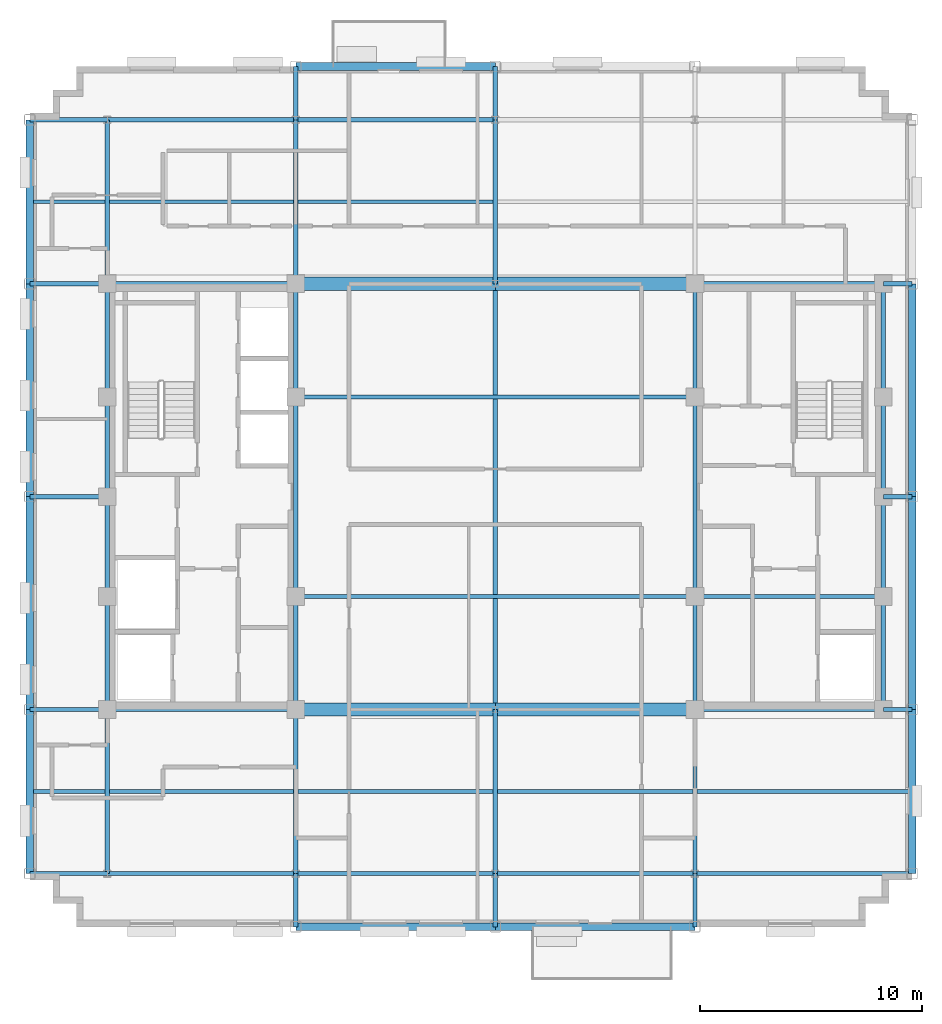
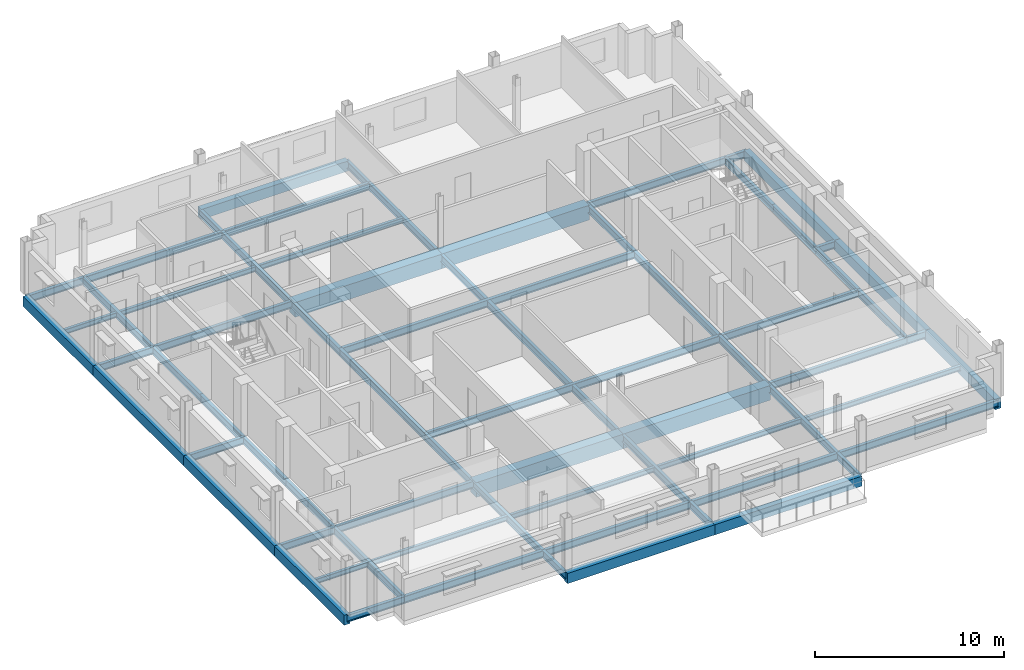
# One storey, part 4 of 13: 70 beams.
"""IFC4 building model written with IfcOpenShell, lengths in metres."""

from ifc_helpers import new_model, si_unit, direction, frame, origin, origin_2d, place, context, subcontext, project, spatial, rectangle, i_section, extrude, material, material_profile, profile_set, type_object, element, save


model = new_model("IFC4")

# Units and contexts
model_context = context("Model", 3, precision=1e-05, world=origin(), true_north=direction((0.0, 1.0)))
body_context = subcontext(model_context, "Body", "Model", "MODEL_VIEW")
ifc_project = project(units=[si_unit("LENGTHUNIT", "METRE"), si_unit("AREAUNIT", "SQUARE_METRE"), si_unit("VOLUMEUNIT", "CUBIC_METRE"), si_unit("PLANEANGLEUNIT", "RADIAN"), si_unit("MASSUNIT", "GRAM", prefix="KILO")], contexts=[model_context])

# Site, building, storey
site_placement = place(None, origin())
site = spatial("IfcSite", under=ifc_project, at=site_placement, CompositionType="ELEMENT")
building_placement = place(site_placement, origin())
building = spatial("IfcBuilding", under=site, at=building_placement, Name="Nuvemarco Arch Tower", CompositionType="ELEMENT")
storey_placement = place(building_placement, frame((0.0, 0.0, 261.60009765625)))
storey = spatial("IfcBuildingStorey", under=building, at=storey_placement, Name="L69", CompositionType="ELEMENT", Elevation=261.60009765625)

# Beams
ifc_material_1 = material(Name="Concrete C60/75", Category="concrete")
ifc_material_profile_1 = material_profile(ifc_material_1, rectangle(XDim=0.60009765625, YDim=0.949951171875, at=origin_2d()), Name="RC-BM-600x950")
ifc_profile_set_1 = profile_set([ifc_material_profile_1], Name="Concrete C60/75")
beam_type_1 = type_object("IfcBeamType", Name="BM-COUP-RC", PredefinedType="LINTEL", material=ifc_profile_set_1)
for number, where, z_axis, x_axis, name in (
    (1, (-9.0, -9.60009765625, -0.755126953125), (1.0, 0.0, 0.0), (0.0, 1.0, 0.0), "L69 structural beam BGEW_L69_0_-9.6_-9.0"),
    (2, (0.0, -9.60009765625, -0.755126953125), (1.0, 0.0, 0.0), (0.0, 1.0, 0.0), "L69 structural beam BGEW_L69_0_-9.6_+0.0"),
    (3, (-9.0, 9.60009765625, -0.755126953125), (1.0, 0.0, 0.0), (0.0, 1.0, 0.0), "L69 structural beam BGEW_L69_0_+9.6_-9.0"),
    (4, (0.0, 9.60009765625, -0.755126953125), (1.0, 0.0, 0.0), (0.0, 1.0, 0.0), "L69 structural beam BGEW_L69_0_+9.6_+0.0"),
):
    element("IfcBeam", number, at=place(storey_placement, frame(where, z_axis=z_axis, x_axis=x_axis)), inside=storey, type_object=beam_type_1, Name=name, PredefinedType="LINTEL", context=body_context, shape_type="SweptSolid", body=[
        extrude(rectangle(XDim=0.60009765625, YDim=0.949951171875, at=origin_2d()), origin(), (0.0, 0.0, 1.0), 9.0),
    ])
ifc_material_2 = material(Name="Steel S355", Category="steel")
ifc_material_profile_2 = material_profile(ifc_material_2, i_section(OverallWidth=0.19189453125, OverallDepth=0.462890625, WebThickness=0.010498046875, FlangeThickness=0.017578125, FilletRadius=0.014892578125, at=origin_2d()), Name="W460x89")
ifc_profile_set_2 = profile_set([ifc_material_profile_2], Name="Steel S355")
beam_type_2 = type_object("IfcBeamType", Name="BM-GIRD-460", PredefinedType="BEAM", material=ifc_profile_set_2)
beam_1_placement = place(storey_placement, frame((-17.5, -17.0, -0.51171875), z_axis=(0.0, 1.0, 0.0), x_axis=(-1.0, 0.0, 0.0)))
element("IfcBeam", 5, at=beam_1_placement, inside=storey, type_object=beam_type_2, Name="L69 structural beam BGNS_L69_0_-17.5_-17.0", PredefinedType="BEAM", context=body_context, shape_type="SweptSolid", body=[
    extrude(i_section(OverallWidth=0.19189453125, OverallDepth=0.462890625, WebThickness=0.010498046875, FlangeThickness=0.017578125, FilletRadius=0.014892578125, at=origin_2d()), origin(), (0.0, 0.0, 1.0), 7.39990234375),
])
beam_2_placement = place(storey_placement, frame((-17.5, -9.60009765625, -0.51171875), z_axis=(0.0, 1.0, 0.0), x_axis=(-1.0, 0.0, 0.0)))
element("IfcBeam", 6, at=beam_2_placement, inside=storey, type_object=beam_type_2, Name="L69 structural beam BGNS_L69_0_-17.5_-9.6", PredefinedType="BEAM", context=body_context, shape_type="SweptSolid", body=[
    extrude(i_section(OverallWidth=0.19189453125, OverallDepth=0.462890625, WebThickness=0.010498046875, FlangeThickness=0.017578125, FilletRadius=0.014892578125, at=origin_2d()), origin(), (0.0, 0.0, 1.0), 5.10009765625),
])
for number, where, z_axis, x_axis, name in (
    (7, (-17.5, -4.5, -0.51171875), (0.0, 1.0, 0.0), (-1.0, 0.0, 0.0), "L69 structural beam BGNS_L69_0_-17.5_-4.5"),
    (8, (-17.5, 0.0, -0.51171875), (0.0, 1.0, 0.0), (-1.0, 0.0, 0.0), "L69 structural beam BGNS_L69_0_-17.5_+0.0"),
):
    element("IfcBeam", number, at=place(storey_placement, frame(where, z_axis=z_axis, x_axis=x_axis)), inside=storey, type_object=beam_type_2, Name=name, PredefinedType="BEAM", context=body_context, shape_type="SweptSolid", body=[
        extrude(i_section(OverallWidth=0.19189453125, OverallDepth=0.462890625, WebThickness=0.010498046875, FlangeThickness=0.017578125, FilletRadius=0.014892578125, at=origin_2d()), origin(), (0.0, 0.0, 1.0), 4.5),
    ])
beam_3_placement = place(storey_placement, frame((-17.5, 4.5, -0.51171875), z_axis=(0.0, 1.0, 0.0), x_axis=(-1.0, 0.0, 0.0)))
element("IfcBeam", 9, at=beam_3_placement, inside=storey, type_object=beam_type_2, Name="L69 structural beam BGNS_L69_0_-17.5_+4.5", PredefinedType="BEAM", context=body_context, shape_type="SweptSolid", body=[
    extrude(i_section(OverallWidth=0.19189453125, OverallDepth=0.462890625, WebThickness=0.010498046875, FlangeThickness=0.017578125, FilletRadius=0.014892578125, at=origin_2d()), origin(), (0.0, 0.0, 1.0), 5.10009765625),
])
beam_4_placement = place(storey_placement, frame((-17.5, 9.60009765625, -0.51171875), z_axis=(0.0, 1.0, 0.0), x_axis=(-1.0, 0.0, 0.0)))
element("IfcBeam", 10, at=beam_4_placement, inside=storey, type_object=beam_type_2, Name="L69 structural beam BGNS_L69_0_-17.5_+9.6", PredefinedType="BEAM", context=body_context, shape_type="SweptSolid", body=[
    extrude(i_section(OverallWidth=0.19189453125, OverallDepth=0.462890625, WebThickness=0.010498046875, FlangeThickness=0.017578125, FilletRadius=0.014892578125, at=origin_2d()), origin(), (0.0, 0.0, 1.0), 7.39990234375),
])
beam_5_placement = place(storey_placement, frame((-9.0, -19.39990234375, -0.51171875), z_axis=(0.0, 1.0, 0.0), x_axis=(-1.0, 0.0, 0.0)))
element("IfcBeam", 11, at=beam_5_placement, inside=storey, type_object=beam_type_2, Name="L69 structural beam BGNS_L69_0_-9.0_-19.4", PredefinedType="BEAM", context=body_context, shape_type="SweptSolid", body=[
    extrude(i_section(OverallWidth=0.19189453125, OverallDepth=0.462890625, WebThickness=0.010498046875, FlangeThickness=0.017578125, FilletRadius=0.014892578125, at=origin_2d()), origin(), (0.0, 0.0, 1.0), 2.39990234375),
])
beam_6_placement = place(storey_placement, frame((-9.0, -17.0, -0.51171875), z_axis=(0.0, 1.0, 0.0), x_axis=(-1.0, 0.0, 0.0)))
element("IfcBeam", 12, at=beam_6_placement, inside=storey, type_object=beam_type_2, Name="L69 structural beam BGNS_L69_0_-9.0_-17.0", PredefinedType="BEAM", context=body_context, shape_type="SweptSolid", body=[
    extrude(i_section(OverallWidth=0.19189453125, OverallDepth=0.462890625, WebThickness=0.010498046875, FlangeThickness=0.017578125, FilletRadius=0.014892578125, at=origin_2d()), origin(), (0.0, 0.0, 1.0), 7.39990234375),
])
beam_7_placement = place(storey_placement, frame((-9.0, -9.60009765625, -0.51171875), z_axis=(0.0, 1.0, 0.0), x_axis=(-1.0, 0.0, 0.0)))
element("IfcBeam", 13, at=beam_7_placement, inside=storey, type_object=beam_type_2, Name="L69 structural beam BGNS_L69_0_-9.0_-9.6", PredefinedType="BEAM", context=body_context, shape_type="SweptSolid", body=[
    extrude(i_section(OverallWidth=0.19189453125, OverallDepth=0.462890625, WebThickness=0.010498046875, FlangeThickness=0.017578125, FilletRadius=0.014892578125, at=origin_2d()), origin(), (0.0, 0.0, 1.0), 5.10009765625),
])
beam_8_placement = place(storey_placement, frame((-9.0, -4.5, -0.51171875), z_axis=(0.0, 1.0, 0.0), x_axis=(-1.0, 0.0, 0.0)))
element("IfcBeam", 14, at=beam_8_placement, inside=storey, type_object=beam_type_2, Name="L69 structural beam BGNS_L69_0_-9.0_-4.5", PredefinedType="BEAM", context=body_context, shape_type="SweptSolid", body=[
    extrude(i_section(OverallWidth=0.19189453125, OverallDepth=0.462890625, WebThickness=0.010498046875, FlangeThickness=0.017578125, FilletRadius=0.014892578125, at=origin_2d()), origin(), (0.0, 0.0, 1.0), 9.0),
])
beam_9_placement = place(storey_placement, frame((-9.0, 4.5, -0.51171875), z_axis=(0.0, 1.0, 0.0), x_axis=(-1.0, 0.0, 0.0)))
element("IfcBeam", 15, at=beam_9_placement, inside=storey, type_object=beam_type_2, Name="L69 structural beam BGNS_L69_0_-9.0_+4.5", PredefinedType="BEAM", context=body_context, shape_type="SweptSolid", body=[
    extrude(i_section(OverallWidth=0.19189453125, OverallDepth=0.462890625, WebThickness=0.010498046875, FlangeThickness=0.017578125, FilletRadius=0.014892578125, at=origin_2d()), origin(), (0.0, 0.0, 1.0), 5.10009765625),
])
beam_10_placement = place(storey_placement, frame((-9.0, 9.60009765625, -0.51171875), z_axis=(0.0, 1.0, 0.0), x_axis=(-1.0, 0.0, 0.0)))
element("IfcBeam", 16, at=beam_10_placement, inside=storey, type_object=beam_type_2, Name="L69 structural beam BGNS_L69_0_-9.0_+9.6", PredefinedType="BEAM", context=body_context, shape_type="SweptSolid", body=[
    extrude(i_section(OverallWidth=0.19189453125, OverallDepth=0.462890625, WebThickness=0.010498046875, FlangeThickness=0.017578125, FilletRadius=0.014892578125, at=origin_2d()), origin(), (0.0, 0.0, 1.0), 7.39990234375),
])
for number, where, z_axis, x_axis, name in (
    (17, (-9.0, 17.0, -0.51171875), (0.0, 1.0, 0.0), (-1.0, 0.0, 0.0), "L69 structural beam BGNS_L69_0_-9.0_+17.0"),
    (18, (0.0, -19.39990234375, -0.51171875), (0.0, 1.0, 0.0), (-1.0, 0.0, 0.0), "L69 structural beam BGNS_L69_0_+0.0_-19.4"),
):
    element("IfcBeam", number, at=place(storey_placement, frame(where, z_axis=z_axis, x_axis=x_axis)), inside=storey, type_object=beam_type_2, Name=name, PredefinedType="BEAM", context=body_context, shape_type="SweptSolid", body=[
        extrude(i_section(OverallWidth=0.19189453125, OverallDepth=0.462890625, WebThickness=0.010498046875, FlangeThickness=0.017578125, FilletRadius=0.014892578125, at=origin_2d()), origin(), (0.0, 0.0, 1.0), 2.39990234375),
    ])
beam_11_placement = place(storey_placement, frame((0.0, -17.0, -0.51171875), z_axis=(0.0, 1.0, 0.0), x_axis=(-1.0, 0.0, 0.0)))
element("IfcBeam", 19, at=beam_11_placement, inside=storey, type_object=beam_type_2, Name="L69 structural beam BGNS_L69_0_+0.0_-17.0", PredefinedType="BEAM", context=body_context, shape_type="SweptSolid", body=[
    extrude(i_section(OverallWidth=0.19189453125, OverallDepth=0.462890625, WebThickness=0.010498046875, FlangeThickness=0.017578125, FilletRadius=0.014892578125, at=origin_2d()), origin(), (0.0, 0.0, 1.0), 7.39990234375),
])
beam_12_placement = place(storey_placement, frame((0.0, -9.60009765625, -0.51171875), z_axis=(0.0, 1.0, 0.0), x_axis=(-1.0, 0.0, 0.0)))
element("IfcBeam", 20, at=beam_12_placement, inside=storey, type_object=beam_type_2, Name="L69 structural beam BGNS_L69_0_+0.0_-9.6", PredefinedType="BEAM", context=body_context, shape_type="SweptSolid", body=[
    extrude(i_section(OverallWidth=0.19189453125, OverallDepth=0.462890625, WebThickness=0.010498046875, FlangeThickness=0.017578125, FilletRadius=0.014892578125, at=origin_2d()), origin(), (0.0, 0.0, 1.0), 19.2001953125),
])
beam_13_placement = place(storey_placement, frame((0.0, 9.60009765625, -0.51171875), z_axis=(0.0, 1.0, 0.0), x_axis=(-1.0, 0.0, 0.0)))
element("IfcBeam", 21, at=beam_13_placement, inside=storey, type_object=beam_type_2, Name="L69 structural beam BGNS_L69_0_+0.0_+9.6", PredefinedType="BEAM", context=body_context, shape_type="SweptSolid", body=[
    extrude(i_section(OverallWidth=0.19189453125, OverallDepth=0.462890625, WebThickness=0.010498046875, FlangeThickness=0.017578125, FilletRadius=0.014892578125, at=origin_2d()), origin(), (0.0, 0.0, 1.0), 7.39990234375),
])
for number, where, z_axis, x_axis, name in (
    (22, (0.0, 17.0, -0.51171875), (0.0, 1.0, 0.0), (-1.0, 0.0, 0.0), "L69 structural beam BGNS_L69_0_+0.0_+17.0"),
    (23, (9.0, -19.39990234375, -0.51171875), (0.0, 1.0, 0.0), (-1.0, 0.0, 0.0), "L69 structural beam BGNS_L69_0_+9.0_-19.4"),
):
    element("IfcBeam", number, at=place(storey_placement, frame(where, z_axis=z_axis, x_axis=x_axis)), inside=storey, type_object=beam_type_2, Name=name, PredefinedType="BEAM", context=body_context, shape_type="SweptSolid", body=[
        extrude(i_section(OverallWidth=0.19189453125, OverallDepth=0.462890625, WebThickness=0.010498046875, FlangeThickness=0.017578125, FilletRadius=0.014892578125, at=origin_2d()), origin(), (0.0, 0.0, 1.0), 2.39990234375),
    ])
beam_14_placement = place(storey_placement, frame((9.0, -17.0, -0.51171875), z_axis=(0.0, 1.0, 0.0), x_axis=(-1.0, 0.0, 0.0)))
element("IfcBeam", 24, at=beam_14_placement, inside=storey, type_object=beam_type_2, Name="L69 structural beam BGNS_L69_0_+9.0_-17.0", PredefinedType="BEAM", context=body_context, shape_type="SweptSolid", body=[
    extrude(i_section(OverallWidth=0.19189453125, OverallDepth=0.462890625, WebThickness=0.010498046875, FlangeThickness=0.017578125, FilletRadius=0.014892578125, at=origin_2d()), origin(), (0.0, 0.0, 1.0), 7.39990234375),
])
beam_15_placement = place(storey_placement, frame((9.0, -9.60009765625, -0.51171875), z_axis=(0.0, 1.0, 0.0), x_axis=(-1.0, 0.0, 0.0)))
element("IfcBeam", 25, at=beam_15_placement, inside=storey, type_object=beam_type_2, Name="L69 structural beam BGNS_L69_0_+9.0_-9.6", PredefinedType="BEAM", context=body_context, shape_type="SweptSolid", body=[
    extrude(i_section(OverallWidth=0.19189453125, OverallDepth=0.462890625, WebThickness=0.010498046875, FlangeThickness=0.017578125, FilletRadius=0.014892578125, at=origin_2d()), origin(), (0.0, 0.0, 1.0), 5.10009765625),
])
beam_16_placement = place(storey_placement, frame((9.0, -4.5, -0.51171875), z_axis=(0.0, 1.0, 0.0), x_axis=(-1.0, 0.0, 0.0)))
element("IfcBeam", 26, at=beam_16_placement, inside=storey, type_object=beam_type_2, Name="L69 structural beam BGNS_L69_0_+9.0_-4.5", PredefinedType="BEAM", context=body_context, shape_type="SweptSolid", body=[
    extrude(i_section(OverallWidth=0.19189453125, OverallDepth=0.462890625, WebThickness=0.010498046875, FlangeThickness=0.017578125, FilletRadius=0.014892578125, at=origin_2d()), origin(), (0.0, 0.0, 1.0), 9.0),
])
for number, where, z_axis, x_axis, name in (
    (27, (9.0, 4.5, -0.51171875), (0.0, 1.0, 0.0), (-1.0, 0.0, 0.0), "L69 structural beam BGNS_L69_0_+9.0_+4.5"),
    (28, (17.5, -9.60009765625, -0.51171875), (0.0, 1.0, 0.0), (-1.0, 0.0, 0.0), "L69 structural beam BGNS_L69_0_+17.5_-9.6"),
):
    element("IfcBeam", number, at=place(storey_placement, frame(where, z_axis=z_axis, x_axis=x_axis)), inside=storey, type_object=beam_type_2, Name=name, PredefinedType="BEAM", context=body_context, shape_type="SweptSolid", body=[
        extrude(i_section(OverallWidth=0.19189453125, OverallDepth=0.462890625, WebThickness=0.010498046875, FlangeThickness=0.017578125, FilletRadius=0.014892578125, at=origin_2d()), origin(), (0.0, 0.0, 1.0), 5.10009765625),
    ])
for number, where, z_axis, x_axis, name in (
    (29, (17.5, -4.5, -0.51171875), (0.0, 1.0, 0.0), (-1.0, 0.0, 0.0), "L69 structural beam BGNS_L69_0_+17.5_-4.5"),
    (30, (17.5, 0.0, -0.51171875), (0.0, 1.0, 0.0), (-1.0, 0.0, 0.0), "L69 structural beam BGNS_L69_0_+17.5_+0.0"),
):
    element("IfcBeam", number, at=place(storey_placement, frame(where, z_axis=z_axis, x_axis=x_axis)), inside=storey, type_object=beam_type_2, Name=name, PredefinedType="BEAM", context=body_context, shape_type="SweptSolid", body=[
        extrude(i_section(OverallWidth=0.19189453125, OverallDepth=0.462890625, WebThickness=0.010498046875, FlangeThickness=0.017578125, FilletRadius=0.014892578125, at=origin_2d()), origin(), (0.0, 0.0, 1.0), 4.5),
    ])
beam_17_placement = place(storey_placement, frame((17.5, 4.5, -0.51171875), z_axis=(0.0, 1.0, 0.0), x_axis=(-1.0, 0.0, 0.0)))
element("IfcBeam", 31, at=beam_17_placement, inside=storey, type_object=beam_type_2, Name="L69 structural beam BGNS_L69_0_+17.5_+4.5", PredefinedType="BEAM", context=body_context, shape_type="SweptSolid", body=[
    extrude(i_section(OverallWidth=0.19189453125, OverallDepth=0.462890625, WebThickness=0.010498046875, FlangeThickness=0.017578125, FilletRadius=0.014892578125, at=origin_2d()), origin(), (0.0, 0.0, 1.0), 5.10009765625),
])
beam_18_placement = place(storey_placement, frame((-21.0, -17.0, -0.51171875), z_axis=(1.0, 0.0, 0.0), x_axis=(0.0, 1.0, 0.0)))
element("IfcBeam", 32, at=beam_18_placement, inside=storey, type_object=beam_type_2, Name="L69 structural beam BGEW_L69_0_-17.0_-21.0", PredefinedType="BEAM", context=body_context, shape_type="SweptSolid", body=[
    extrude(i_section(OverallWidth=0.19189453125, OverallDepth=0.462890625, WebThickness=0.010498046875, FlangeThickness=0.017578125, FilletRadius=0.014892578125, at=origin_2d()), origin(), (0.0, 0.0, 1.0), 3.5),
])
beam_19_placement = place(storey_placement, frame((-17.5, -17.0, -0.51171875), z_axis=(1.0, 0.0, 0.0), x_axis=(0.0, 1.0, 0.0)))
element("IfcBeam", 33, at=beam_19_placement, inside=storey, type_object=beam_type_2, Name="L69 structural beam BGEW_L69_0_-17.0_-17.5", PredefinedType="BEAM", context=body_context, shape_type="SweptSolid", body=[
    extrude(i_section(OverallWidth=0.19189453125, OverallDepth=0.462890625, WebThickness=0.010498046875, FlangeThickness=0.017578125, FilletRadius=0.014892578125, at=origin_2d()), origin(), (0.0, 0.0, 1.0), 8.5),
])
for number, where, z_axis, x_axis, name in (
    (34, (-9.0, -17.0, -0.51171875), (1.0, 0.0, 0.0), (0.0, 1.0, 0.0), "L69 structural beam BGEW_L69_0_-17.0_-9.0"),
    (35, (0.0, -17.0, -0.51171875), (1.0, 0.0, 0.0), (0.0, 1.0, 0.0), "L69 structural beam BGEW_L69_0_-17.0_+0.0"),
):
    element("IfcBeam", number, at=place(storey_placement, frame(where, z_axis=z_axis, x_axis=x_axis)), inside=storey, type_object=beam_type_2, Name=name, PredefinedType="BEAM", context=body_context, shape_type="SweptSolid", body=[
        extrude(i_section(OverallWidth=0.19189453125, OverallDepth=0.462890625, WebThickness=0.010498046875, FlangeThickness=0.017578125, FilletRadius=0.014892578125, at=origin_2d()), origin(), (0.0, 0.0, 1.0), 9.0),
    ])
beam_20_placement = place(storey_placement, frame((9.0, -17.0, -0.51171875), z_axis=(1.0, 0.0, 0.0), x_axis=(0.0, 1.0, 0.0)))
element("IfcBeam", 36, at=beam_20_placement, inside=storey, type_object=beam_type_2, Name="L69 structural beam BGEW_L69_0_-17.0_+9.0", PredefinedType="BEAM", context=body_context, shape_type="SweptSolid", body=[
    extrude(i_section(OverallWidth=0.19189453125, OverallDepth=0.462890625, WebThickness=0.010498046875, FlangeThickness=0.017578125, FilletRadius=0.014892578125, at=origin_2d()), origin(), (0.0, 0.0, 1.0), 9.800048828125),
])
beam_21_placement = place(storey_placement, frame((-21.0, -9.60009765625, -0.51171875), z_axis=(1.0, 0.0, 0.0), x_axis=(0.0, 1.0, 0.0)))
element("IfcBeam", 37, at=beam_21_placement, inside=storey, type_object=beam_type_2, Name="L69 structural beam BGEW_L69_0_-9.6_-21.0", PredefinedType="BEAM", context=body_context, shape_type="SweptSolid", body=[
    extrude(i_section(OverallWidth=0.19189453125, OverallDepth=0.462890625, WebThickness=0.010498046875, FlangeThickness=0.017578125, FilletRadius=0.014892578125, at=origin_2d()), origin(), (0.0, 0.0, 1.0), 3.5),
])
for number, where, z_axis, x_axis, name in (
    (38, (-17.5, -9.60009765625, -0.51171875), (1.0, 0.0, 0.0), (0.0, 1.0, 0.0), "L69 structural beam BGEW_L69_0_-9.6_-17.5"),
    (39, (9.0, -9.60009765625, -0.51171875), (1.0, 0.0, 0.0), (0.0, 1.0, 0.0), "L69 structural beam BGEW_L69_0_-9.6_+9.0"),
):
    element("IfcBeam", number, at=place(storey_placement, frame(where, z_axis=z_axis, x_axis=x_axis)), inside=storey, type_object=beam_type_2, Name=name, PredefinedType="BEAM", context=body_context, shape_type="SweptSolid", body=[
        extrude(i_section(OverallWidth=0.19189453125, OverallDepth=0.462890625, WebThickness=0.010498046875, FlangeThickness=0.017578125, FilletRadius=0.014892578125, at=origin_2d()), origin(), (0.0, 0.0, 1.0), 8.5),
    ])
beam_22_placement = place(storey_placement, frame((17.5, -9.60009765625, -0.51171875), z_axis=(1.0, 0.0, 0.0), x_axis=(0.0, 1.0, 0.0)))
element("IfcBeam", 40, at=beam_22_placement, inside=storey, type_object=beam_type_2, Name="L69 structural beam BGEW_L69_0_-9.6_+17.5", PredefinedType="BEAM", context=body_context, shape_type="SweptSolid", body=[
    extrude(i_section(OverallWidth=0.19189453125, OverallDepth=0.462890625, WebThickness=0.010498046875, FlangeThickness=0.017578125, FilletRadius=0.014892578125, at=origin_2d()), origin(), (0.0, 0.0, 1.0), 1.300048828125),
])
beam_23_placement = place(storey_placement, frame((-9.0, -4.5, -0.51171875), z_axis=(1.0, 0.0, 0.0), x_axis=(0.0, 1.0, 0.0)))
element("IfcBeam", 41, at=beam_23_placement, inside=storey, type_object=beam_type_2, Name="L69 structural beam BGEW_L69_0_-4.5_-9.0", PredefinedType="BEAM", context=body_context, shape_type="SweptSolid", body=[
    extrude(i_section(OverallWidth=0.19189453125, OverallDepth=0.462890625, WebThickness=0.010498046875, FlangeThickness=0.017578125, FilletRadius=0.014892578125, at=origin_2d()), origin(), (0.0, 0.0, 1.0), 18.0),
])
beam_24_placement = place(storey_placement, frame((9.0, -4.5, -0.51171875), z_axis=(1.0, 0.0, 0.0), x_axis=(0.0, 1.0, 0.0)))
element("IfcBeam", 42, at=beam_24_placement, inside=storey, type_object=beam_type_2, Name="L69 structural beam BGEW_L69_0_-4.5_+9.0", PredefinedType="BEAM", context=body_context, shape_type="SweptSolid", body=[
    extrude(i_section(OverallWidth=0.19189453125, OverallDepth=0.462890625, WebThickness=0.010498046875, FlangeThickness=0.017578125, FilletRadius=0.014892578125, at=origin_2d()), origin(), (0.0, 0.0, 1.0), 8.5),
])
beam_25_placement = place(storey_placement, frame((-21.0, 0.0, -0.51171875), z_axis=(1.0, 0.0, 0.0), x_axis=(0.0, 1.0, 0.0)))
element("IfcBeam", 43, at=beam_25_placement, inside=storey, type_object=beam_type_2, Name="L69 structural beam BGEW_L69_0_+0.0_-21.0", PredefinedType="BEAM", context=body_context, shape_type="SweptSolid", body=[
    extrude(i_section(OverallWidth=0.19189453125, OverallDepth=0.462890625, WebThickness=0.010498046875, FlangeThickness=0.017578125, FilletRadius=0.014892578125, at=origin_2d()), origin(), (0.0, 0.0, 1.0), 3.5),
])
beam_26_placement = place(storey_placement, frame((17.5, 0.0, -0.51171875), z_axis=(1.0, 0.0, 0.0), x_axis=(0.0, 1.0, 0.0)))
element("IfcBeam", 44, at=beam_26_placement, inside=storey, type_object=beam_type_2, Name="L69 structural beam BGEW_L69_0_+0.0_+17.5", PredefinedType="BEAM", context=body_context, shape_type="SweptSolid", body=[
    extrude(i_section(OverallWidth=0.19189453125, OverallDepth=0.462890625, WebThickness=0.010498046875, FlangeThickness=0.017578125, FilletRadius=0.014892578125, at=origin_2d()), origin(), (0.0, 0.0, 1.0), 1.300048828125),
])
beam_27_placement = place(storey_placement, frame((-9.0, 4.5, -0.51171875), z_axis=(1.0, 0.0, 0.0), x_axis=(0.0, 1.0, 0.0)))
element("IfcBeam", 45, at=beam_27_placement, inside=storey, type_object=beam_type_2, Name="L69 structural beam BGEW_L69_0_+4.5_-9.0", PredefinedType="BEAM", context=body_context, shape_type="SweptSolid", body=[
    extrude(i_section(OverallWidth=0.19189453125, OverallDepth=0.462890625, WebThickness=0.010498046875, FlangeThickness=0.017578125, FilletRadius=0.014892578125, at=origin_2d()), origin(), (0.0, 0.0, 1.0), 18.0),
])
beam_28_placement = place(storey_placement, frame((-21.0, 9.60009765625, -0.51171875), z_axis=(1.0, 0.0, 0.0), x_axis=(0.0, 1.0, 0.0)))
element("IfcBeam", 46, at=beam_28_placement, inside=storey, type_object=beam_type_2, Name="L69 structural beam BGEW_L69_0_+9.6_-21.0", PredefinedType="BEAM", context=body_context, shape_type="SweptSolid", body=[
    extrude(i_section(OverallWidth=0.19189453125, OverallDepth=0.462890625, WebThickness=0.010498046875, FlangeThickness=0.017578125, FilletRadius=0.014892578125, at=origin_2d()), origin(), (0.0, 0.0, 1.0), 3.5),
])
for number, where, z_axis, x_axis, name in (
    (47, (-17.5, 9.60009765625, -0.51171875), (1.0, 0.0, 0.0), (0.0, 1.0, 0.0), "L69 structural beam BGEW_L69_0_+9.6_-17.5"),
    (48, (9.0, 9.60009765625, -0.51171875), (1.0, 0.0, 0.0), (0.0, 1.0, 0.0), "L69 structural beam BGEW_L69_0_+9.6_+9.0"),
):
    element("IfcBeam", number, at=place(storey_placement, frame(where, z_axis=z_axis, x_axis=x_axis)), inside=storey, type_object=beam_type_2, Name=name, PredefinedType="BEAM", context=body_context, shape_type="SweptSolid", body=[
        extrude(i_section(OverallWidth=0.19189453125, OverallDepth=0.462890625, WebThickness=0.010498046875, FlangeThickness=0.017578125, FilletRadius=0.014892578125, at=origin_2d()), origin(), (0.0, 0.0, 1.0), 8.5),
    ])
beam_29_placement = place(storey_placement, frame((17.5, 9.60009765625, -0.51171875), z_axis=(1.0, 0.0, 0.0), x_axis=(0.0, 1.0, 0.0)))
element("IfcBeam", 49, at=beam_29_placement, inside=storey, type_object=beam_type_2, Name="L69 structural beam BGEW_L69_0_+9.6_+17.5", PredefinedType="BEAM", context=body_context, shape_type="SweptSolid", body=[
    extrude(i_section(OverallWidth=0.19189453125, OverallDepth=0.462890625, WebThickness=0.010498046875, FlangeThickness=0.017578125, FilletRadius=0.014892578125, at=origin_2d()), origin(), (0.0, 0.0, 1.0), 1.300048828125),
])
beam_30_placement = place(storey_placement, frame((-21.0, 17.0, -0.51171875), z_axis=(1.0, 0.0, 0.0), x_axis=(0.0, 1.0, 0.0)))
element("IfcBeam", 50, at=beam_30_placement, inside=storey, type_object=beam_type_2, Name="L69 structural beam BGEW_L69_0_+17.0_-21.0", PredefinedType="BEAM", context=body_context, shape_type="SweptSolid", body=[
    extrude(i_section(OverallWidth=0.19189453125, OverallDepth=0.462890625, WebThickness=0.010498046875, FlangeThickness=0.017578125, FilletRadius=0.014892578125, at=origin_2d()), origin(), (0.0, 0.0, 1.0), 3.5),
])
beam_31_placement = place(storey_placement, frame((-17.5, 17.0, -0.51171875), z_axis=(1.0, 0.0, 0.0), x_axis=(0.0, 1.0, 0.0)))
element("IfcBeam", 51, at=beam_31_placement, inside=storey, type_object=beam_type_2, Name="L69 structural beam BGEW_L69_0_+17.0_-17.5", PredefinedType="BEAM", context=body_context, shape_type="SweptSolid", body=[
    extrude(i_section(OverallWidth=0.19189453125, OverallDepth=0.462890625, WebThickness=0.010498046875, FlangeThickness=0.017578125, FilletRadius=0.014892578125, at=origin_2d()), origin(), (0.0, 0.0, 1.0), 8.5),
])
beam_32_placement = place(storey_placement, frame((-9.0, 17.0, -0.51171875), z_axis=(1.0, 0.0, 0.0), x_axis=(0.0, 1.0, 0.0)))
element("IfcBeam", 52, at=beam_32_placement, inside=storey, type_object=beam_type_2, Name="L69 structural beam BGEW_L69_0_+17.0_-9.0", PredefinedType="BEAM", context=body_context, shape_type="SweptSolid", body=[
    extrude(i_section(OverallWidth=0.19189453125, OverallDepth=0.462890625, WebThickness=0.010498046875, FlangeThickness=0.017578125, FilletRadius=0.014892578125, at=origin_2d()), origin(), (0.0, 0.0, 1.0), 9.0),
])
ifc_material_profile_3 = material_profile(ifc_material_2, i_section(OverallWidth=0.1669921875, OverallDepth=0.31689453125, WebThickness=0.007568359375, FlangeThickness=0.01318359375, FilletRadius=0.010009765625, at=origin_2d()), Name="W310x52")
ifc_profile_set_3 = profile_set([ifc_material_profile_3], Name="Steel S355")
beam_type_3 = type_object("IfcBeamType", Name="BM-JOIST-310", PredefinedType="JOIST", material=ifc_profile_set_3)
beam_33_placement = place(storey_placement, frame((-20.824951171875, -13.300048828125, -0.4384765625), z_axis=(1.0, 0.0, 0.0), x_axis=(0.0, 1.0, 0.0)))
element("IfcBeam", 53, at=beam_33_placement, inside=storey, type_object=beam_type_3, Name="L69 structural beam BJ_L69_0_-13.3_-21.0", PredefinedType="JOIST", context=body_context, shape_type="SweptSolid", body=[
    extrude(i_section(OverallWidth=0.1669921875, OverallDepth=0.31689453125, WebThickness=0.007568359375, FlangeThickness=0.01318359375, FilletRadius=0.010009765625, at=origin_2d()), origin(), (0.0, 0.0, 1.0), 3.22900390625),
])
beam_34_placement = place(storey_placement, frame((-17.404052734375, -13.300048828125, -0.4384765625), z_axis=(1.0, 0.0, 0.0), x_axis=(0.0, 1.0, 0.0)))
element("IfcBeam", 54, at=beam_34_placement, inside=storey, type_object=beam_type_3, Name="L69 structural beam BJ_L69_0_-13.3_-17.5", PredefinedType="JOIST", context=body_context, shape_type="SweptSolid", body=[
    extrude(i_section(OverallWidth=0.1669921875, OverallDepth=0.31689453125, WebThickness=0.007568359375, FlangeThickness=0.01318359375, FilletRadius=0.010009765625, at=origin_2d()), origin(), (0.0, 0.0, 1.0), 8.30810546875),
])
for number, where, z_axis, x_axis, name in (
    (55, (-8.904052734375, -13.300048828125, -0.4384765625), (1.0, 0.0, 0.0), (0.0, 1.0, 0.0), "L69 structural beam BJ_L69_0_-13.3_-9.0"),
    (56, (0.095947265625, -13.300048828125, -0.4384765625), (1.0, 0.0, 0.0), (0.0, 1.0, 0.0), "L69 structural beam BJ_L69_0_-13.3_+0.0"),
):
    element("IfcBeam", number, at=place(storey_placement, frame(where, z_axis=z_axis, x_axis=x_axis)), inside=storey, type_object=beam_type_3, Name=name, PredefinedType="JOIST", context=body_context, shape_type="SweptSolid", body=[
        extrude(i_section(OverallWidth=0.1669921875, OverallDepth=0.31689453125, WebThickness=0.007568359375, FlangeThickness=0.01318359375, FilletRadius=0.010009765625, at=origin_2d()), origin(), (0.0, 0.0, 1.0), 8.80810546875),
    ])
beam_35_placement = place(storey_placement, frame((9.095947265625, -13.300048828125, -0.4384765625), z_axis=(1.0, 0.0, 0.0), x_axis=(0.0, 1.0, 0.0)))
element("IfcBeam", 57, at=beam_35_placement, inside=storey, type_object=beam_type_3, Name="L69 structural beam BJ_L69_0_-13.3_+9.0", PredefinedType="JOIST", context=body_context, shape_type="SweptSolid", body=[
    extrude(i_section(OverallWidth=0.1669921875, OverallDepth=0.31689453125, WebThickness=0.007568359375, FlangeThickness=0.01318359375, FilletRadius=0.010009765625, at=origin_2d()), origin(), (0.0, 0.0, 1.0), 9.529052734375),
])
beam_36_placement = place(storey_placement, frame((-20.824951171875, 13.300048828125, -0.4384765625), z_axis=(1.0, 0.0, 0.0), x_axis=(0.0, 1.0, 0.0)))
element("IfcBeam", 58, at=beam_36_placement, inside=storey, type_object=beam_type_3, Name="L69 structural beam BJ_L69_0_+13.3_-21.0", PredefinedType="JOIST", context=body_context, shape_type="SweptSolid", body=[
    extrude(i_section(OverallWidth=0.1669921875, OverallDepth=0.31689453125, WebThickness=0.007568359375, FlangeThickness=0.01318359375, FilletRadius=0.010009765625, at=origin_2d()), origin(), (0.0, 0.0, 1.0), 3.22900390625),
])
beam_37_placement = place(storey_placement, frame((-17.404052734375, 13.300048828125, -0.4384765625), z_axis=(1.0, 0.0, 0.0), x_axis=(0.0, 1.0, 0.0)))
element("IfcBeam", 59, at=beam_37_placement, inside=storey, type_object=beam_type_3, Name="L69 structural beam BJ_L69_0_+13.3_-17.5", PredefinedType="JOIST", context=body_context, shape_type="SweptSolid", body=[
    extrude(i_section(OverallWidth=0.1669921875, OverallDepth=0.31689453125, WebThickness=0.007568359375, FlangeThickness=0.01318359375, FilletRadius=0.010009765625, at=origin_2d()), origin(), (0.0, 0.0, 1.0), 8.30810546875),
])
beam_38_placement = place(storey_placement, frame((-8.904052734375, 13.300048828125, -0.4384765625), z_axis=(1.0, 0.0, 0.0), x_axis=(0.0, 1.0, 0.0)))
element("IfcBeam", 60, at=beam_38_placement, inside=storey, type_object=beam_type_3, Name="L69 structural beam BJ_L69_0_+13.3_-9.0", PredefinedType="JOIST", context=body_context, shape_type="SweptSolid", body=[
    extrude(i_section(OverallWidth=0.1669921875, OverallDepth=0.31689453125, WebThickness=0.007568359375, FlangeThickness=0.01318359375, FilletRadius=0.010009765625, at=origin_2d()), origin(), (0.0, 0.0, 1.0), 8.80810546875),
])
ifc_material_3 = material(Name="Precast concrete C45/55", Category="concrete")
ifc_material_profile_4 = material_profile(ifc_material_3, rectangle(XDim=0.35009765625, YDim=0.64990234375, at=origin_2d()), Name="PC-SP-350x650")
ifc_profile_set_4 = profile_set([ifc_material_profile_4], Name="Precast concrete C45/55")
beam_type_4 = type_object("IfcBeamType", Name="BM-SPAN-RC", PredefinedType="SPANDREL", material=ifc_profile_set_4)
beam_39_placement = place(storey_placement, frame((-21.0, -17.0, -0.60498046875), z_axis=(0.0, 1.0, 0.0), x_axis=(-1.0, 0.0, 0.0)))
element("IfcBeam", 61, at=beam_39_placement, inside=storey, type_object=beam_type_4, Name="L69 structural beam BGNS_L69_0_-21.0_-17.0", PredefinedType="SPANDREL", context=body_context, shape_type="SweptSolid", body=[
    extrude(rectangle(XDim=0.35009765625, YDim=0.64990234375, at=origin_2d()), origin(), (0.0, 0.0, 1.0), 7.39990234375),
])
for number, where, z_axis, x_axis, name in (
    (62, (-21.0, -9.60009765625, -0.60498046875), (0.0, 1.0, 0.0), (-1.0, 0.0, 0.0), "L69 structural beam BGNS_L69_0_-21.0_-9.6"),
    (63, (-21.0, 0.0, -0.60498046875), (0.0, 1.0, 0.0), (-1.0, 0.0, 0.0), "L69 structural beam BGNS_L69_0_-21.0_+0.0"),
):
    element("IfcBeam", number, at=place(storey_placement, frame(where, z_axis=z_axis, x_axis=x_axis)), inside=storey, type_object=beam_type_4, Name=name, PredefinedType="SPANDREL", context=body_context, shape_type="SweptSolid", body=[
        extrude(rectangle(XDim=0.35009765625, YDim=0.64990234375, at=origin_2d()), origin(), (0.0, 0.0, 1.0), 9.60009765625),
    ])
for number, where, z_axis, x_axis, name in (
    (64, (-21.0, 9.60009765625, -0.60498046875), (0.0, 1.0, 0.0), (-1.0, 0.0, 0.0), "L69 structural beam BGNS_L69_0_-21.0_+9.6"),
    (65, (18.800048828125, -17.0, -0.60498046875), (0.0, 1.0, 0.0), (-1.0, 0.0, 0.0), "L69 structural beam BGNS_L69_0_+18.8_-17.0"),
):
    element("IfcBeam", number, at=place(storey_placement, frame(where, z_axis=z_axis, x_axis=x_axis)), inside=storey, type_object=beam_type_4, Name=name, PredefinedType="SPANDREL", context=body_context, shape_type="SweptSolid", body=[
        extrude(rectangle(XDim=0.35009765625, YDim=0.64990234375, at=origin_2d()), origin(), (0.0, 0.0, 1.0), 7.39990234375),
    ])
for number, where, z_axis, x_axis, name in (
    (66, (18.800048828125, -9.60009765625, -0.60498046875), (0.0, 1.0, 0.0), (-1.0, 0.0, 0.0), "L69 structural beam BGNS_L69_0_+18.8_-9.6"),
    (67, (18.800048828125, 0.0, -0.60498046875), (0.0, 1.0, 0.0), (-1.0, 0.0, 0.0), "L69 structural beam BGNS_L69_0_+18.8_+0.0"),
):
    element("IfcBeam", number, at=place(storey_placement, frame(where, z_axis=z_axis, x_axis=x_axis)), inside=storey, type_object=beam_type_4, Name=name, PredefinedType="SPANDREL", context=body_context, shape_type="SweptSolid", body=[
        extrude(rectangle(XDim=0.35009765625, YDim=0.64990234375, at=origin_2d()), origin(), (0.0, 0.0, 1.0), 9.60009765625),
    ])
for number, where, z_axis, x_axis, name in (
    (68, (-9.0, -19.39990234375, -0.60498046875), (1.0, 0.0, 0.0), (0.0, 1.0, 0.0), "L69 structural beam BGEW_L69_0_-19.4_-9.0"),
    (69, (0.0, -19.39990234375, -0.60498046875), (1.0, 0.0, 0.0), (0.0, 1.0, 0.0), "L69 structural beam BGEW_L69_0_-19.4_+0.0"),
    (70, (-9.0, 19.39990234375, -0.60498046875), (1.0, 0.0, 0.0), (0.0, 1.0, 0.0), "L69 structural beam BGEW_L69_0_+19.4_-9.0"),
):
    element("IfcBeam", number, at=place(storey_placement, frame(where, z_axis=z_axis, x_axis=x_axis)), inside=storey, type_object=beam_type_4, Name=name, PredefinedType="SPANDREL", context=body_context, shape_type="SweptSolid", body=[
        extrude(rectangle(XDim=0.35009765625, YDim=0.64990234375, at=origin_2d()), origin(), (0.0, 0.0, 1.0), 9.0),
    ])

save(model, "model.ifc")
